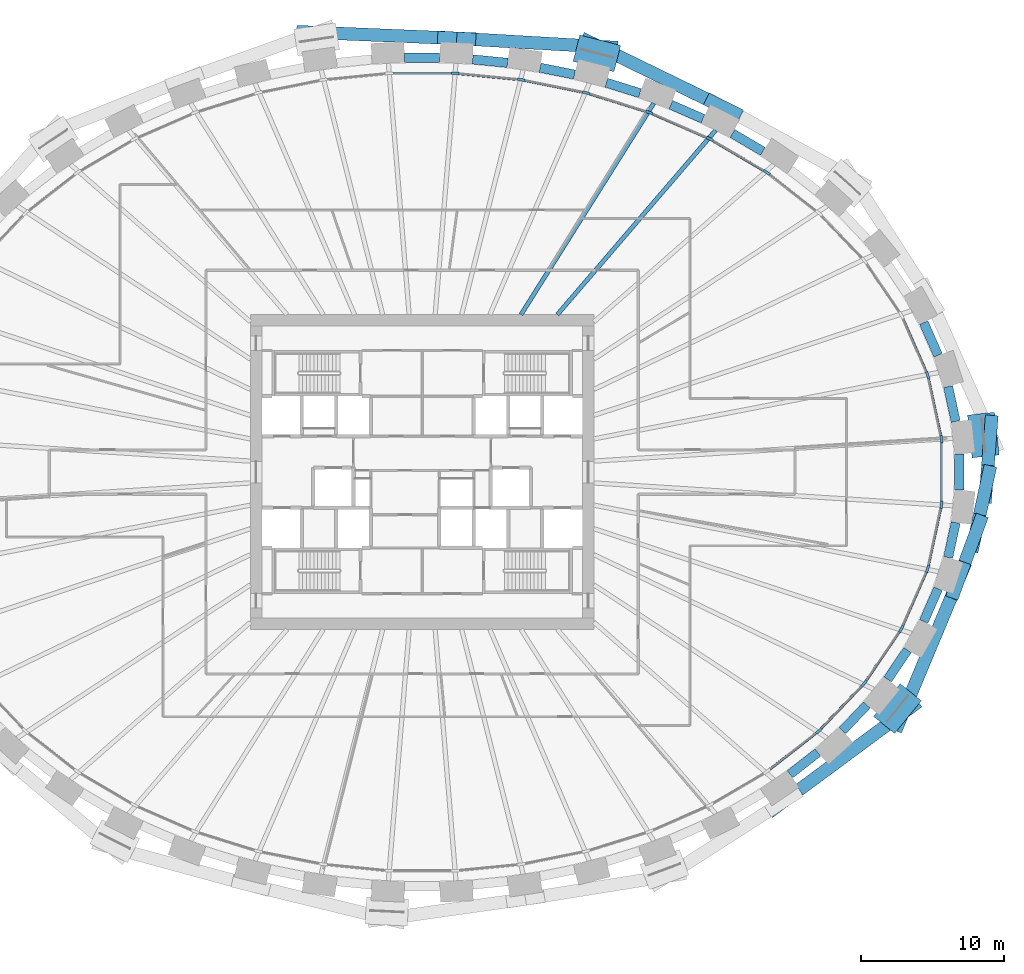
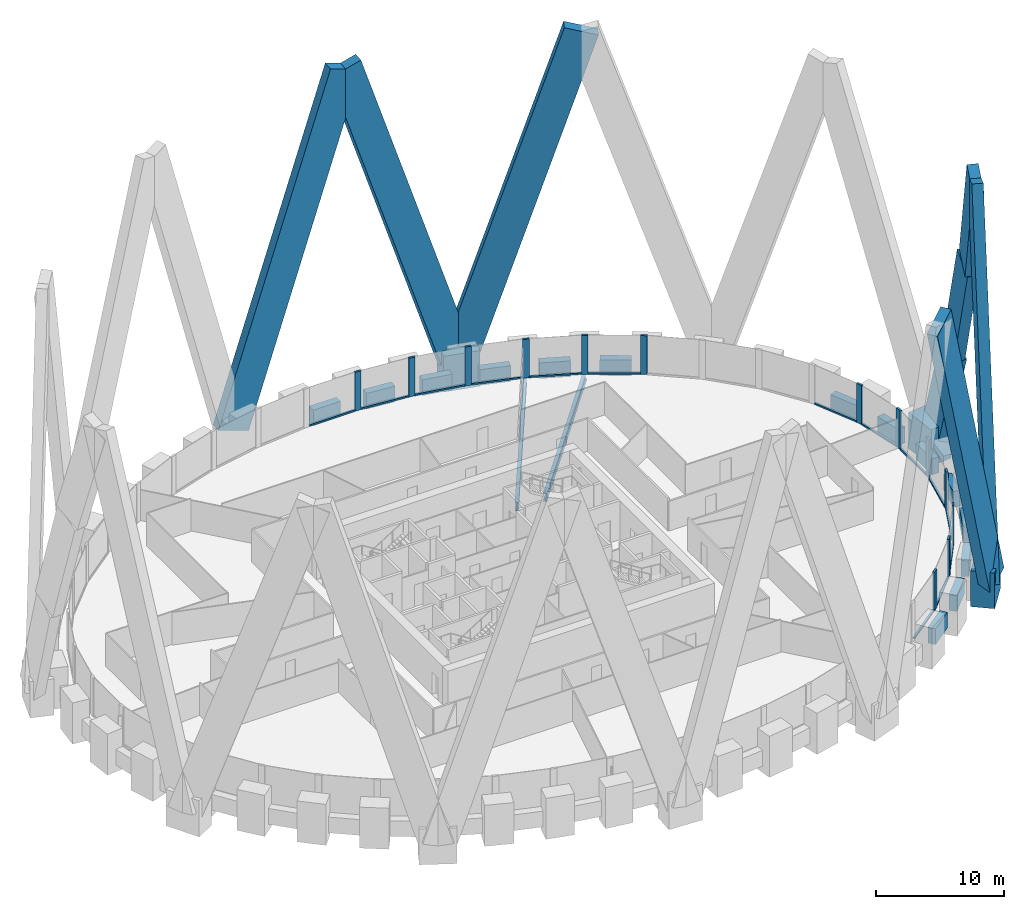
# One storey, part 4 of 12: 38 members, 16 beams, 1 element without a shape of its own.
"""IFC4 building model written with IfcOpenShell, lengths in metres."""

from ifc_helpers import new_model, si_unit, direction, frame, origin, origin_2d, place, context, subcontext, project, spatial, rectangle, i_section, extrude, source, transform, mapped, material, material_profile, profile_set, type_object, element, aggregate, save


model = new_model("IFC4")

# Units and contexts
model_context = context("Model", 3, precision=1e-05, world=origin(), true_north=direction((0.0, 1.0)))
body_context = subcontext(model_context, "Body", "Model", "MODEL_VIEW")
ifc_project = project(units=[si_unit("LENGTHUNIT", "METRE"), si_unit("AREAUNIT", "SQUARE_METRE"), si_unit("VOLUMEUNIT", "CUBIC_METRE"), si_unit("PLANEANGLEUNIT", "RADIAN"), si_unit("MASSUNIT", "GRAM", prefix="KILO")], contexts=[model_context])

# Site, building, storey
site_placement = place(None, origin())
site = spatial("IfcSite", under=ifc_project, at=site_placement, CompositionType="ELEMENT")
building_placement = place(site_placement, origin())
building = spatial("IfcBuilding", under=site, at=building_placement, Name="Embergate Tower", CompositionType="ELEMENT")
storey_placement = place(building_placement, frame((0.0, 0.0, 159.89990234375)))
storey = spatial("IfcBuildingStorey", under=building, at=storey_placement, Name="L35", CompositionType="ELEMENT", Elevation=159.89990234375)

# Beams
ifc_material_1 = material(Name="Concrete C70", Category="concrete")
ifc_material_profile_1 = material_profile(ifc_material_1, rectangle(XDim=0.64990234375, YDim=1.5, at=origin_2d()), Name="RC 650x1500")
ifc_profile_set_1 = profile_set([ifc_material_profile_1], Name="Concrete C70")
beam_type_1 = type_object("IfcBeamType", Name="Spandrel beam RC 650x1500 C70", PredefinedType="BEAM", material=ifc_profile_set_1)
shared_shape_1 = source(origin(), body_context, "Body", "SweptSolid", [
    extrude(rectangle(XDim=0.64990234375, YDim=1.5, at=origin_2d()), origin(), (0.0, 0.0, 1.0), 2.490966796875),
])
for number, where, z_axis, x_axis, name in (
    (1, (37.27294921875, 3.532958984375, 0.0), (-0.210720345789, 0.977546385534, 0.0), (-0.977546385534, -0.210720345789, 0.0), "SPN-L35-00"),
    (2, (36.748046875, -5.968017578125, 0.0), (0.210720345789, 0.977546385534, 0.0), (-0.977546385534, 0.210720345789, 0.0), "SPN-L35-42"),
):
    element("IfcBeam", number, at=place(storey_placement, frame(where, z_axis=z_axis, x_axis=x_axis)), inside=storey, type_object=beam_type_1, Name=name, PredefinedType="BEAM", context=body_context, shape_type="MappedRepresentation", body=[
        mapped(shared_shape_1, transform((0.0, 0.0, 0.0))),
    ])
shared_shape_2 = source(origin(), body_context, "Body", "SweptSolid", [
    extrude(rectangle(XDim=0.64990234375, YDim=1.5, at=origin_2d()), origin(), (0.0, 0.0, 1.0), 2.48828125),
])
for number, where, z_axis, x_axis, name in (
    (3, (36.041015625, 8.156005859375, 0.0), (-0.401472379967, 0.91587113074, 0.0), (-0.91587113074, -0.401472379967, 0.0), "SPN-L35-01"),
    (4, (35.0419921875, -10.43505859375, 0.0), (0.401472379967, 0.91587113074, 0.0), (-0.91587113074, 0.401472379967, 0.0), "SPN-L35-41"),
):
    element("IfcBeam", number, at=place(storey_placement, frame(where, z_axis=z_axis, x_axis=x_axis)), inside=storey, type_object=beam_type_1, Name=name, PredefinedType="BEAM", context=body_context, shape_type="MappedRepresentation", body=[
        mapped(shared_shape_2, transform((0.0, 0.0, 0.0))),
    ])
shared_shape_3 = source(origin(), body_context, "Body", "SweptSolid", [
    extrude(rectangle(XDim=0.64990234375, YDim=1.5, at=origin_2d()), origin(), (0.0, 0.0, 1.0), 2.4775390625),
])
beam_1_placement = place(storey_placement, frame((32.51806640625, -14.486083984375, 0.0), z_axis=(0.562159078618, 0.827029123022, 0.0), x_axis=(-0.827029123022, 0.562159078618, 0.0)))
element("IfcBeam", 5, at=beam_1_placement, inside=storey, type_object=beam_type_1, Name="SPN-L35-40", PredefinedType="BEAM", context=body_context, shape_type="MappedRepresentation", body=[
    mapped(shared_shape_3, transform((0.0, 0.0, 0.0))),
])
shared_shape_4 = source(origin(), body_context, "Body", "SweptSolid", [
    extrude(rectangle(XDim=0.64990234375, YDim=1.5, at=origin_2d()), origin(), (0.0, 0.0, 1.0), 2.473388671875),
])
beam_2_placement = place(storey_placement, frame((29.364990234375, -18.06494140625, 0.0), z_axis=(0.69012823406, 0.723687101276, 0.0), x_axis=(-0.723687101276, 0.69012823406, 0.0)))
element("IfcBeam", 6, at=beam_2_placement, inside=storey, type_object=beam_type_1, Name="SPN-L35-39", PredefinedType="BEAM", context=body_context, shape_type="MappedRepresentation", body=[
    mapped(shared_shape_4, transform((0.0, 0.0, 0.0))),
])
shared_shape_5 = source(origin(), body_context, "Body", "SweptSolid", [
    extrude(rectangle(XDim=0.64990234375, YDim=1.5, at=origin_2d()), origin(), (0.0, 0.0, 1.0), 2.466552734375),
])
beam_3_placement = place(storey_placement, frame((25.702880859375, -21.112060546875, 0.0), z_axis=(0.788172909908, 0.615453868367, 0.0), x_axis=(-0.615453868367, 0.788172909908, 0.0)))
element("IfcBeam", 7, at=beam_3_placement, inside=storey, type_object=beam_type_1, Name="SPN-L35-38", PredefinedType="BEAM", context=body_context, shape_type="MappedRepresentation", body=[
    mapped(shared_shape_5, transform((0.0, 0.0, 0.0))),
])
shared_shape_6 = source(origin(), body_context, "Body", "SweptSolid", [
    extrude(rectangle(XDim=0.64990234375, YDim=1.5, at=origin_2d()), origin(), (0.0, 0.0, 1.0), 2.46142578125),
])
beam_4_placement = place(storey_placement, frame((23.801025390625, 22.405029296875, 0.0), z_axis=(-0.86214832468, 0.506655964389, 0.0), x_axis=(-0.506655964389, -0.86214832468, 0.0)))
element("IfcBeam", 8, at=beam_4_placement, inside=storey, type_object=beam_type_1, Name="SPN-L35-05", PredefinedType="BEAM", context=body_context, shape_type="MappedRepresentation", body=[
    mapped(shared_shape_6, transform((0.0, 0.0, 0.0))),
])
shared_shape_7 = source(origin(), body_context, "Body", "SweptSolid", [
    extrude(rectangle(XDim=0.64990234375, YDim=1.5, at=origin_2d()), origin(), (0.0, 0.0, 1.0), 2.456787109375),
])
beam_5_placement = place(storey_placement, frame((19.62109375, 24.679931640625, 0.0), z_axis=(-0.916257660854, 0.40058943936, 0.0), x_axis=(-0.40058943936, -0.916257660854, 0.0)))
element("IfcBeam", 9, at=beam_5_placement, inside=storey, type_object=beam_type_1, Name="SPN-L35-06", PredefinedType="BEAM", context=body_context, shape_type="MappedRepresentation", body=[
    mapped(shared_shape_7, transform((0.0, 0.0, 0.0))),
])
shared_shape_8 = source(origin(), body_context, "Body", "SweptSolid", [
    extrude(rectangle(XDim=0.64990234375, YDim=1.5, at=origin_2d()), origin(), (0.0, 0.0, 1.0), 2.4541015625),
])
beam_6_placement = place(storey_placement, frame((15.215087890625, 26.468017578125, 0.0), z_axis=(-0.954736297307, 0.29745353016, 0.0), x_axis=(-0.29745353016, -0.954736297307, 0.0)))
element("IfcBeam", 10, at=beam_6_placement, inside=storey, type_object=beam_type_1, Name="SPN-L35-07", PredefinedType="BEAM", context=body_context, shape_type="MappedRepresentation", body=[
    mapped(shared_shape_8, transform((0.0, 0.0, 0.0))),
])
shared_shape_9 = source(origin(), body_context, "Body", "SweptSolid", [
    extrude(rectangle(XDim=0.64990234375, YDim=1.5, at=origin_2d()), origin(), (0.0, 0.0, 1.0), 2.453125),
])
beam_7_placement = place(storey_placement, frame((10.64306640625, 27.76611328125, 0.0), z_axis=(-0.980431102511, 0.196862523679, 0.0), x_axis=(-0.196862523679, -0.980431102511, 0.0)))
element("IfcBeam", 11, at=beam_7_placement, inside=storey, type_object=beam_type_1, Name="SPN-L35-08", PredefinedType="BEAM", context=body_context, shape_type="MappedRepresentation", body=[
    mapped(shared_shape_9, transform((0.0, 0.0, 0.0))),
])
shared_shape_10 = source(origin(), body_context, "Body", "SweptSolid", [
    extrude(rectangle(XDim=0.64990234375, YDim=1.5, at=origin_2d()), origin(), (0.0, 0.0, 1.0), 2.45166015625),
])
beam_8_placement = place(storey_placement, frame((5.962890625, 28.587890625, 0.0), z_axis=(-0.995197569904, 0.097886653113, 0.0), x_axis=(-0.097886653113, -0.995197569904, 0.0)))
element("IfcBeam", 12, at=beam_8_placement, inside=storey, type_object=beam_type_1, Name="SPN-L35-09", PredefinedType="BEAM", context=body_context, shape_type="MappedRepresentation", body=[
    mapped(shared_shape_10, transform((0.0, 0.0, 0.0))),
])
shared_shape_11 = source(origin(), body_context, "Body", "SweptSolid", [
    extrude(rectangle(XDim=0.64990234375, YDim=1.5, at=origin_2d()), origin(), (0.0, 0.0, 1.0), 2.4521484375),
])
beam_9_placement = place(storey_placement, frame((1.22607421875, 28.94091796875, 0.0), z_axis=(-1.0, 0.0, 0.0), x_axis=(0.0, -1.0, 0.0)))
element("IfcBeam", 13, at=beam_9_placement, inside=storey, type_object=beam_type_1, Name="SPN-L35-10", PredefinedType="BEAM", context=body_context, shape_type="MappedRepresentation", body=[
    mapped(shared_shape_11, transform((0.0, 0.0, 0.0))),
])
shared_shape_12 = source(origin(), body_context, "Body", "SweptSolid", [
    extrude(rectangle(XDim=0.64990234375, YDim=1.5, at=origin_2d()), origin(), (0.0, 0.0, 1.0), 2.4921875),
])
beam_10_placement = place(storey_placement, frame((37.51611328125, -1.24609375, 0.0), z_axis=(0.0, 1.0, 0.0), x_axis=(-1.0, 0.0, 0.0)))
element("IfcBeam", 14, at=beam_10_placement, inside=storey, type_object=beam_type_1, Name="SPN-L35-43", PredefinedType="BEAM", context=body_context, shape_type="MappedRepresentation", body=[
    mapped(shared_shape_12, transform((0.0, 0.0, 0.0))),
])
ifc_material_2 = material(Name="Steel Q355B", Category="steel")
ifc_material_profile_2 = material_profile(ifc_material_2, i_section(OverallWidth=0.300048828125, OverallDepth=0.800048828125, WebThickness=0.013916015625, FlangeThickness=0.02587890625, FilletRadius=0.028076171875, at=origin_2d()), Name="HN 800x300x14x26")
ifc_profile_set_2 = profile_set([ifc_material_profile_2], Name="Steel Q355 grade B")
beam_type_2 = type_object("IfcBeamType", Name="Radial girder HN 800x300x14x26", PredefinedType="BEAM", material=ifc_profile_set_2)
shared_shape_13 = source(origin(), body_context, "Body", "SweptSolid", [
    extrude(i_section(OverallWidth=0.300048828125, OverallDepth=0.800048828125, WebThickness=0.013916015625, FlangeThickness=0.02587890625, FilletRadius=0.028076171875, at=origin_2d()), origin(), (0.0, 0.0, 1.0), 16.970458984375),
])
beam_11_placement = place(storey_placement, frame((20.501953125, 23.875, -0.599853515625), z_axis=(-0.651477073616, -0.758668321833, 0.0), x_axis=(0.758668321833, -0.651477073616, 0.0)))
element("IfcBeam", 15, at=beam_11_placement, inside=storey, type_object=beam_type_2, Name="GIR-L35-06", PredefinedType="BEAM", context=body_context, shape_type="MappedRepresentation", body=[
    mapped(shared_shape_13, transform((0.0, 0.0, 0.0))),
])
shared_shape_14 = source(origin(), body_context, "Body", "SweptSolid", [
    extrude(i_section(OverallWidth=0.300048828125, OverallDepth=0.800048828125, WebThickness=0.013916015625, FlangeThickness=0.02587890625, FilletRadius=0.028076171875, at=origin_2d()), origin(), (0.0, 0.0, 1.0), 17.433837890625),
])
beam_12_placement = place(storey_placement, frame((16.179931640625, 25.763916015625, -0.599853515625), z_axis=(-0.531834233156, -0.846848480216, 0.0), x_axis=(0.846848480216, -0.531834233156, 0.0)))
element("IfcBeam", 16, at=beam_12_placement, inside=storey, type_object=beam_type_2, Name="GIR-L35-07", PredefinedType="BEAM", context=body_context, shape_type="MappedRepresentation", body=[
    mapped(shared_shape_14, transform((0.0, 0.0, 0.0))),
])

# Members
ifc_material_profile_3 = material_profile(ifc_material_1, rectangle(XDim=1.89990234375, YDim=3.0, at=origin_2d()), Name="RC 1900x3000")
ifc_profile_set_3 = profile_set([ifc_material_profile_3], Name="Concrete C70")
member_type_1 = type_object("IfcMemberType", Name="Lattice node block RC 1900x3000", PredefinedType="POST", material=ifc_profile_set_3)
shared_shape_15 = source(origin(), body_context, "Body", "SweptSolid", [
    extrude(rectangle(XDim=1.89990234375, YDim=3.0, at=origin_2d()), origin(), (0.0, 0.0, 1.0), 3.449951171875),
])
member_1_placement = place(storey_placement, frame((39.208984375, 2.583984375, -1.724853515625), z_axis=(0.0, 0.0, 1.0), x_axis=(0.99428589498, 0.106749983816, 0.0)))
element("IfcMember", 17, at=member_1_placement, inside=storey, type_object=member_type_1, Name="NOD-L35-00", PredefinedType="POST", context=body_context, shape_type="MappedRepresentation", body=[
    mapped(shared_shape_15, transform((0.0, 0.0, 0.0))),
])
ifc_material_profile_4 = material_profile(ifc_material_1, rectangle(XDim=1.89990234375, YDim=2.949951171875, at=origin_2d()), Name="RC 1900x2950")
ifc_profile_set_4 = profile_set([ifc_material_profile_4], Name="Concrete C70")
member_type_2 = type_object("IfcMemberType", Name="Lattice node block RC 1900x2950", PredefinedType="POST", material=ifc_profile_set_4)
shared_shape_16 = source(origin(), body_context, "Body", "SweptSolid", [
    extrude(rectangle(XDim=1.89990234375, YDim=2.949951171875, at=origin_2d()), origin(), (0.0, 0.0, 1.0), 3.400146484375),
])
for number, where, z_axis, x_axis, name in (
    (18, (12.20703125, 29.25, -1.699951171875), (0.0, 0.0, 1.0), (0.246491603437, 0.969144926951, 0.0), "NOD-L35-08"),
    (19, (33.2060546875, -16.528076171875, -1.699951171875), (0.0, 0.0, 1.0), (0.775914301615, -0.630838328377, 0.0), "NOD-L35-40"),
):
    element("IfcMember", number, at=place(storey_placement, frame(where, z_axis=z_axis, x_axis=x_axis)), inside=storey, type_object=member_type_2, Name=name, PredefinedType="POST", context=body_context, shape_type="MappedRepresentation", body=[
        mapped(shared_shape_16, transform((0.0, 0.0, 0.0))),
    ])
ifc_material_profile_5 = material_profile(ifc_material_1, rectangle(XDim=0.89990234375, YDim=2.800048828125, at=origin_2d()), Name="RC 900x2800")
ifc_profile_set_5 = profile_set([ifc_material_profile_5], Name="Concrete C70")
member_type_3 = type_object("IfcMemberType", Name="Lattice diagonal terracotta-faced RC 900x2800", PredefinedType="BRACE", material=ifc_profile_set_5)
shared_shape_17 = source(origin(), body_context, "Body", "SweptSolid", [
    extrude(rectangle(XDim=0.89990234375, YDim=2.800048828125, at=origin_2d()), origin(), (0.0, 0.0, 1.0), 10.974609375),
])
member_2_placement = place(storey_placement, frame((39.698974609375, 2.636962890625, 0.0), z_axis=(-0.025227104073, -0.318275289211, 0.94766261586), x_axis=(0.996873499493, -0.0790140874, 0.0)))
element("IfcMember", 20, at=member_2_placement, inside=storey, type_object=member_type_3, Name="BRC-L35-00-42-S00", PredefinedType="BRACE", context=body_context, shape_type="MappedRepresentation", body=[
    mapped(shared_shape_17, transform((0.0, 0.0, 0.0))),
])
shared_shape_18 = source(origin(), body_context, "Body", "SweptSolid", [
    extrude(rectangle(XDim=0.89990234375, YDim=2.800048828125, at=origin_2d()), origin(), (0.0, 0.0, 1.0), 10.9716796875),
])
member_3_placement = place(storey_placement, frame((39.422119140625, -0.85595703125, 10.400146484375), z_axis=(-0.068090555962, -0.311258397645, 0.947882844071), x_axis=(0.976898194926, -0.213705209928, 0.0)))
element("IfcMember", 21, at=member_3_placement, inside=storey, type_object=member_type_3, Name="BRC-L35-00-42-S01", PredefinedType="BRACE", context=body_context, shape_type="MappedRepresentation", body=[
    mapped(shared_shape_18, transform((0.0, 0.0, 0.0))),
])
shared_shape_19 = source(origin(), body_context, "Body", "SweptSolid", [
    extrude(rectangle(XDim=0.89990234375, YDim=2.800048828125, at=origin_2d()), origin(), (0.0, 0.0, 1.0), 10.975341796875),
])
member_4_placement = place(storey_placement, frame((38.675048828125, -4.27099609375, 20.800048828125), z_axis=(-0.110798923194, -0.299675385118, 0.947585490694), x_axis=(0.937944291854, -0.346785964795, 0.0)))
element("IfcMember", 22, at=member_4_placement, inside=storey, type_object=member_type_3, Name="BRC-L35-00-42-S02", PredefinedType="BRACE", context=body_context, shape_type="MappedRepresentation", body=[
    mapped(shared_shape_19, transform((0.0, 0.0, 0.0))),
])
shared_shape_20 = source(origin(), body_context, "Body", "SweptSolid", [
    extrude(rectangle(XDim=0.89990234375, YDim=2.800048828125, at=origin_2d()), origin(), (0.0, 0.0, 1.0), 32.674560546875),
])
member_5_placement = place(storey_placement, frame((12.3291015625, 29.72802734375, 0.0), z_axis=(0.267052339284, -0.129980764226, 0.954875933833), x_axis=(0.437638350374, 0.899151085348, 0.0)))
element("IfcMember", 23, at=member_5_placement, inside=storey, type_object=member_type_3, Name="BRC-L35-08-06-S00", PredefinedType="BRACE", context=body_context, shape_type="MappedRepresentation", body=[
    mapped(shared_shape_20, transform((0.0, 0.0, 0.0))),
])
shared_shape_21 = source(origin(), body_context, "Body", "SweptSolid", [
    extrude(rectangle(XDim=0.89990234375, YDim=2.800048828125, at=origin_2d()), origin(), (0.0, 0.0, 1.0), 32.742919921875),
])
member_6_placement = place(storey_placement, frame((12.3291015625, 29.72802734375, 0.0), z_axis=(-0.302843764907, 0.01741038485, 0.952881174416), x_axis=(-0.057394890682, -0.998351554576, 0.0)))
element("IfcMember", 24, at=member_6_placement, inside=storey, type_object=member_type_3, Name="BRC-L35-08-10-S00", PredefinedType="BRACE", context=body_context, shape_type="MappedRepresentation", body=[
    mapped(shared_shape_21, transform((0.0, 0.0, 0.0))),
])
shared_shape_22 = source(origin(), body_context, "Body", "SweptSolid", [
    extrude(rectangle(XDim=0.89990234375, YDim=2.800048828125, at=origin_2d()), origin(), (0.0, 0.0, 1.0), 32.721923828125),
])
member_7_placement = place(storey_placement, frame((-7.44091796875, 30.7080078125, 0.0), z_axis=(0.301144160679, -0.012527155388, 0.953496337102), x_axis=(0.041562588077, 0.999135902304, 0.0)))
element("IfcMember", 25, at=member_7_placement, inside=storey, type_object=member_type_3, Name="BRC-L35-12-10-S00", PredefinedType="BRACE", context=body_context, shape_type="MappedRepresentation", body=[
    mapped(shared_shape_22, transform((0.0, 0.0, 0.0))),
])
shared_shape_23 = source(origin(), body_context, "Body", "SweptSolid", [
    extrude(rectangle(XDim=0.89990234375, YDim=2.800048828125, at=origin_2d()), origin(), (0.0, 0.0, 1.0), 32.87060546875),
])
member_8_placement = place(storey_placement, frame((33.587890625, -16.839111328125, 0.0), z_axis=(-0.252870952016, -0.187369309361, 0.949183345585), x_axis=(0.595345500088, -0.803469809965, 0.0)))
element("IfcMember", 26, at=member_8_placement, inside=storey, type_object=member_type_3, Name="BRC-L35-40-38-S00", PredefinedType="BRACE", context=body_context, shape_type="MappedRepresentation", body=[
    mapped(shared_shape_23, transform((0.0, 0.0, 0.0))),
])
shared_shape_24 = source(origin(), body_context, "Body", "SweptSolid", [
    extrude(rectangle(XDim=0.89990234375, YDim=2.800048828125, at=origin_2d()), origin(), (0.0, 0.0, 1.0), 32.7802734375),
])
member_9_placement = place(storey_placement, frame((33.587890625, -16.839111328125, 0.0), z_axis=(0.118092610859, 0.283069239462, 0.951801418853), x_axis=(-0.922906567467, 0.385023983313, 0.0)))
element("IfcMember", 27, at=member_9_placement, inside=storey, type_object=member_type_3, Name="BRC-L35-40-42-S00", PredefinedType="BRACE", context=body_context, shape_type="MappedRepresentation", body=[
    mapped(shared_shape_24, transform((0.0, 0.0, 0.0))),
])

# Curtain wall, members
ifc_material_3 = material(Name="Aluminium and glass", Category="aluminium")
curtain_wall_type = type_object("IfcCurtainWallType", Name="Recessed office glazing", PredefinedType="NOTDEFINED", material=ifc_material_3)
curtain_wall_placement = place(storey_placement, origin())
curtain_wall = element("IfcCurtainWall", 28, at=curtain_wall_placement, inside=storey, type_object=curtain_wall_type, Name="Recessed office glazing ring", ObjectType="RECESSED OFFICE GLAZING", PredefinedType="USERDEFINED")
ifc_material_4 = material(Name="Aluminium, thermally broken", Category="aluminium")
ifc_material_profile_6 = material_profile(ifc_material_4, rectangle(XDim=0.179931640625, YDim=0.52001953125, at=origin_2d()), Name="AL 520x180")
ifc_profile_set_6 = profile_set([ifc_material_profile_6], Name="Aluminium, thermally broken")
member_type_4 = type_object("IfcMemberType", Name="Office mullion", PredefinedType="MULLION", material=ifc_profile_set_6)
shared_shape_25 = source(origin(), body_context, "Body", "SweptSolid", [
    extrude(rectangle(XDim=0.179931640625, YDim=0.52001953125, at=origin_2d()), origin(), (0.0, 0.0, 1.0), 3.7001953125),
])
member_10_placement = place(storey_placement, frame((36.281494140625, 2.287841796875, 0.0), z_axis=(0.0, 0.0, 1.0), x_axis=(-0.994384954736, -0.105823257345, 0.0)))
member_10 = element("IfcMember", 29, at=member_10_placement, type_object=member_type_4, Name="CW mullion 1", PredefinedType="MULLION", context=body_context, shape_type="MappedRepresentation", body=[
    mapped(shared_shape_25, transform((0.0, 0.0, 0.0))),
])
member_11_placement = place(storey_placement, frame((35.318115234375, 6.763427734375, 0.0), z_axis=(0.0, 0.0, 1.0), x_axis=(-0.951497797992, -0.307655554826, 0.0)))
member_11 = element("IfcMember", 30, at=member_11_placement, type_object=member_type_4, Name="CW mullion 2", PredefinedType="MULLION", context=body_context, shape_type="MappedRepresentation", body=[
    mapped(shared_shape_25, transform((0.0, 0.0, 0.0))),
])
member_12_placement = place(storey_placement, frame((24.08251953125, 20.9287109375, 0.0), z_axis=(0.0, 0.0, 1.0), x_axis=(-0.562216175174, -0.826990309721, 0.0)))
member_12 = element("IfcMember", 31, at=member_12_placement, type_object=member_type_4, Name="CW mullion 6", PredefinedType="MULLION", context=body_context, shape_type="MappedRepresentation", body=[
    mapped(shared_shape_25, transform((0.0, 0.0, 0.0))),
])
member_13_placement = place(storey_placement, frame((20.103271484375, 23.26806640625, 0.0), z_axis=(0.0, 0.0, 1.0), x_axis=(-0.454509825889, -0.890741723605, 0.0)))
member_13 = element("IfcMember", 32, at=member_13_placement, type_object=member_type_4, Name="CW mullion 7", PredefinedType="MULLION", context=body_context, shape_type="MappedRepresentation", body=[
    mapped(shared_shape_25, transform((0.0, 0.0, 0.0))),
])
member_14_placement = place(storey_placement, frame((15.86962890625, 25.119384765625, 0.0), z_axis=(0.0, 0.0, 1.0), x_axis=(-0.349502682851, -0.936935363128, 0.0)))
member_14 = element("IfcMember", 33, at=member_14_placement, type_object=member_type_4, Name="CW mullion 8", PredefinedType="MULLION", context=body_context, shape_type="MappedRepresentation", body=[
    mapped(shared_shape_25, transform((0.0, 0.0, 0.0))),
])
member_15_placement = place(storey_placement, frame((11.454833984375, 26.494140625, 0.0), z_axis=(0.0, 0.0, 1.0), x_axis=(-0.24731188137, -0.968935928394, 0.0)))
member_15 = element("IfcMember", 34, at=member_15_placement, type_object=member_type_4, Name="CW mullion 9", PredefinedType="MULLION", context=body_context, shape_type="MappedRepresentation", body=[
    mapped(shared_shape_25, transform((0.0, 0.0, 0.0))),
])
member_16_placement = place(storey_placement, frame((6.919189453125, 27.40380859375, 0.0), z_axis=(0.0, 0.0, 1.0), x_axis=(-0.147412382818, -0.989075118174, 0.0)))
member_16 = element("IfcMember", 35, at=member_16_placement, type_object=member_type_4, Name="CW mullion 10", PredefinedType="MULLION", context=body_context, shape_type="MappedRepresentation", body=[
    mapped(shared_shape_25, transform((0.0, 0.0, 0.0))),
])
member_17_placement = place(storey_placement, frame((2.31396484375, 27.8564453125, 0.0), z_axis=(0.0, 0.0, 1.0), x_axis=(-0.048971796621, -0.998800161762, 0.0)))
member_17 = element("IfcMember", 36, at=member_17_placement, type_object=member_type_4, Name="CW mullion 11", PredefinedType="MULLION", context=body_context, shape_type="MappedRepresentation", body=[
    mapped(shared_shape_25, transform((0.0, 0.0, 0.0))),
])
member_18_placement = place(storey_placement, frame((27.716796875, -18.092041015625, 0.0), z_axis=(0.0, 0.0, 1.0), x_axis=(-0.671226533956, 0.741252278319, 0.0)))
member_18 = element("IfcMember", 37, at=member_18_placement, type_object=member_type_4, Name="CW mullion 40", PredefinedType="MULLION", context=body_context, shape_type="MappedRepresentation", body=[
    mapped(shared_shape_25, transform((0.0, 0.0, 0.0))),
])
member_19_placement = place(storey_placement, frame((30.89306640625, -14.76123046875, 0.0), z_axis=(0.0, 0.0, 1.0), x_axis=(-0.777872564355, 0.628422050555, 0.0)))
member_19 = element("IfcMember", 38, at=member_19_placement, type_object=member_type_4, Name="CW mullion 41", PredefinedType="MULLION", context=body_context, shape_type="MappedRepresentation", body=[
    mapped(shared_shape_25, transform((0.0, 0.0, 0.0))),
])
member_20_placement = place(storey_placement, frame((33.4765625, -10.96240234375, 0.0), z_axis=(0.0, 0.0, 1.0), x_axis=(-0.875001895832, 0.484119491748, 0.0)))
member_20 = element("IfcMember", 39, at=member_20_placement, type_object=member_type_4, Name="CW mullion 42", PredefinedType="MULLION", context=body_context, shape_type="MappedRepresentation", body=[
    mapped(shared_shape_25, transform((0.0, 0.0, 0.0))),
])
member_21_placement = place(storey_placement, frame((35.318115234375, -6.763427734375, 0.0), z_axis=(0.0, 0.0, 1.0), x_axis=(-0.951497797992, 0.307655554826, 0.0)))
member_21 = element("IfcMember", 40, at=member_21_placement, type_object=member_type_4, Name="CW mullion 43", PredefinedType="MULLION", context=body_context, shape_type="MappedRepresentation", body=[
    mapped(shared_shape_25, transform((0.0, 0.0, 0.0))),
])
member_22_placement = place(storey_placement, frame((36.281494140625, -2.287841796875, 0.0), z_axis=(0.0, 0.0, 1.0), x_axis=(-0.994384954736, 0.105823257345, 0.0)))
member_22 = element("IfcMember", 41, at=member_22_placement, type_object=member_type_4, Name="CW mullion 44", PredefinedType="MULLION", context=body_context, shape_type="MappedRepresentation", body=[
    mapped(shared_shape_25, transform((0.0, 0.0, 0.0))),
])
ifc_material_profile_7 = material_profile(ifc_material_4, rectangle(XDim=0.179931640625, YDim=0.14990234375, at=origin_2d()), Name="AL 150x180")
ifc_profile_set_7 = profile_set([ifc_material_profile_7], Name="Aluminium, thermally broken")
member_type_5 = type_object("IfcMemberType", Name="Office sill transom", PredefinedType="USERDEFINED", material=ifc_profile_set_7)
shared_shape_26 = source(origin(), body_context, "Body", "SweptSolid", [
    extrude(rectangle(XDim=0.179931640625, YDim=0.14990234375, at=origin_2d()), origin(), (0.0, 0.0, 1.0), 4.05810546875),
])
member_23_placement = place(storey_placement, frame((36.226806640625, 2.5419921875, 0.0751953125), z_axis=(-0.210441087969, 0.977606540738, 0.0), x_axis=(-0.977606540738, -0.210441087969, 0.0)))
member_23 = element("IfcMember", 42, at=member_23_placement, type_object=member_type_5, Name="CW transom 1.1", ObjectType="TRANSOM", PredefinedType="USERDEFINED", context=body_context, shape_type="MappedRepresentation", body=[
    mapped(shared_shape_26, transform((0.0, 0.0, 0.0))),
])
member_24_placement = place(storey_placement, frame((35.372802734375, -6.50927734375, 0.0751953125), z_axis=(0.210441087969, 0.977606540738, 0.0), x_axis=(-0.977606540738, 0.210441087969, 0.0)))
member_24 = element("IfcMember", 43, at=member_24_placement, type_object=member_type_5, Name="CW transom 43.1", ObjectType="TRANSOM", PredefinedType="USERDEFINED", context=body_context, shape_type="MappedRepresentation", body=[
    mapped(shared_shape_26, transform((0.0, 0.0, 0.0))),
])
shared_shape_27 = source(origin(), body_context, "Body", "SweptSolid", [
    extrude(rectangle(XDim=0.179931640625, YDim=0.14990234375, at=origin_2d()), origin(), (0.0, 0.0, 1.0), 4.06494140625),
])
member_25_placement = place(storey_placement, frame((35.213623046875, 7.001708984375, 0.0751953125), z_axis=(-0.401675633899, 0.91578200743, 0.0), x_axis=(-0.91578200743, -0.401675633899, 0.0)))
member_25 = element("IfcMember", 44, at=member_25_placement, type_object=member_type_5, Name="CW transom 2.1", ObjectType="TRANSOM", PredefinedType="USERDEFINED", context=body_context, shape_type="MappedRepresentation", body=[
    mapped(shared_shape_27, transform((0.0, 0.0, 0.0))),
])
member_26_placement = place(storey_placement, frame((33.580810546875, -10.724365234375, 0.0751953125), z_axis=(0.401675633899, 0.91578200743, 0.0), x_axis=(-0.91578200743, 0.401675633899, 0.0)))
member_26 = element("IfcMember", 45, at=member_26_placement, type_object=member_type_5, Name="CW transom 42.1", ObjectType="TRANSOM", PredefinedType="USERDEFINED", context=body_context, shape_type="MappedRepresentation", body=[
    mapped(shared_shape_27, transform((0.0, 0.0, 0.0))),
])
shared_shape_28 = source(origin(), body_context, "Body", "SweptSolid", [
    extrude(rectangle(XDim=0.179931640625, YDim=0.14990234375, at=origin_2d()), origin(), (0.0, 0.0, 1.0), 4.073974609375),
])
member_27_placement = place(storey_placement, frame((31.039306640625, -14.54638671875, 0.0751953125), z_axis=(0.562337885641, 0.826907553704, 0.0), x_axis=(-0.826907553704, 0.562337885641, 0.0)))
member_27 = element("IfcMember", 46, at=member_27_placement, type_object=member_type_5, Name="CW transom 41.1", ObjectType="TRANSOM", PredefinedType="USERDEFINED", context=body_context, shape_type="MappedRepresentation", body=[
    mapped(shared_shape_28, transform((0.0, 0.0, 0.0))),
])
shared_shape_29 = source(origin(), body_context, "Body", "SweptSolid", [
    extrude(rectangle(XDim=0.179931640625, YDim=0.14990234375, at=origin_2d()), origin(), (0.0, 0.0, 1.0), 4.082763671875),
])
member_28_placement = place(storey_placement, frame((27.89599609375, -17.904052734375, 0.0751953125), z_axis=(0.690134333582, 0.723681284552, 0.0), x_axis=(-0.723681284552, 0.690134333582, 0.0)))
member_28 = element("IfcMember", 47, at=member_28_placement, type_object=member_type_5, Name="CW transom 40.1", ObjectType="TRANSOM", PredefinedType="USERDEFINED", context=body_context, shape_type="MappedRepresentation", body=[
    mapped(shared_shape_29, transform((0.0, 0.0, 0.0))),
])
shared_shape_30 = source(origin(), body_context, "Body", "SweptSolid", [
    extrude(rectangle(XDim=0.179931640625, YDim=0.14990234375, at=origin_2d()), origin(), (0.0, 0.0, 1.0), 4.090087890625),
])
member_29_placement = place(storey_placement, frame((24.287353515625, -20.7685546875, 0.0751953125), z_axis=(0.788341910095, 0.615237379219, 0.0), x_axis=(-0.615237379219, 0.788341910095, 0.0)))
member_29 = element("IfcMember", 48, at=member_29_placement, type_object=member_type_5, Name="CW transom 39.1", ObjectType="TRANSOM", PredefinedType="USERDEFINED", context=body_context, shape_type="MappedRepresentation", body=[
    mapped(shared_shape_30, transform((0.0, 0.0, 0.0))),
])
shared_shape_31 = source(origin(), body_context, "Body", "SweptSolid", [
    extrude(rectangle(XDim=0.179931640625, YDim=0.14990234375, at=origin_2d()), origin(), (0.0, 0.0, 1.0), 4.095947265625),
])
member_30_placement = place(storey_placement, frame((23.8583984375, 21.060302734375, 0.0751953125), z_axis=(-0.86205523764, 0.506814332134, 0.0), x_axis=(-0.506814332134, -0.86205523764, 0.0)))
member_30 = element("IfcMember", 49, at=member_30_placement, type_object=member_type_5, Name="CW transom 6.1", ObjectType="TRANSOM", PredefinedType="USERDEFINED", context=body_context, shape_type="MappedRepresentation", body=[
    mapped(shared_shape_31, transform((0.0, 0.0, 0.0))),
])
shared_shape_32 = source(origin(), body_context, "Body", "SweptSolid", [
    extrude(rectangle(XDim=0.179931640625, YDim=0.14990234375, at=origin_2d()), origin(), (0.0, 0.0, 1.0), 4.1005859375),
])
member_31_placement = place(storey_placement, frame((19.864990234375, 23.372314453125, 0.0751953125), z_axis=(-0.916237937351, 0.400634549382, 0.0), x_axis=(-0.400634549382, -0.916237937351, 0.0)))
member_31 = element("IfcMember", 50, at=member_31_placement, type_object=member_type_5, Name="CW transom 7.1", ObjectType="TRANSOM", PredefinedType="USERDEFINED", context=body_context, shape_type="MappedRepresentation", body=[
    mapped(shared_shape_32, transform((0.0, 0.0, 0.0))),
])
shared_shape_33 = source(origin(), body_context, "Body", "SweptSolid", [
    extrude(rectangle(XDim=0.179931640625, YDim=0.14990234375, at=origin_2d()), origin(), (0.0, 0.0, 1.0), 4.103759765625),
])
member_32_placement = place(storey_placement, frame((15.621337890625, 25.196533203125, 0.0751953125), z_axis=(-0.954772738111, 0.297336540911, 0.0), x_axis=(-0.297336540911, -0.954772738111, 0.0)))
member_32 = element("IfcMember", 51, at=member_32_placement, type_object=member_type_5, Name="CW transom 8.1", ObjectType="TRANSOM", PredefinedType="USERDEFINED", context=body_context, shape_type="MappedRepresentation", body=[
    mapped(shared_shape_33, transform((0.0, 0.0, 0.0))),
])
shared_shape_34 = source(origin(), body_context, "Body", "SweptSolid", [
    extrude(rectangle(XDim=0.179931640625, YDim=0.14990234375, at=origin_2d()), origin(), (0.0, 0.0, 1.0), 4.10595703125),
])
member_33_placement = place(storey_placement, frame((11.199951171875, 26.54541015625, 0.0751953125), z_axis=(-0.980477631016, 0.196630656505, 0.0), x_axis=(-0.196630656505, -0.980477631016, 0.0)))
member_33 = element("IfcMember", 52, at=member_33_placement, type_object=member_type_5, Name="CW transom 9.1", ObjectType="TRANSOM", PredefinedType="USERDEFINED", context=body_context, shape_type="MappedRepresentation", body=[
    mapped(shared_shape_34, transform((0.0, 0.0, 0.0))),
])
shared_shape_35 = source(origin(), body_context, "Body", "SweptSolid", [
    extrude(rectangle(XDim=0.179931640625, YDim=0.14990234375, at=origin_2d()), origin(), (0.0, 0.0, 1.0), 4.107666015625),
])
member_34_placement = place(storey_placement, frame((6.660400390625, 27.42919921875, 0.0751953125), z_axis=(-0.995202914721, 0.097832297995, 0.0), x_axis=(-0.097832297995, -0.995202914721, 0.0)))
member_34 = element("IfcMember", 53, at=member_34_placement, type_object=member_type_5, Name="CW transom 10.1", ObjectType="TRANSOM", PredefinedType="USERDEFINED", context=body_context, shape_type="MappedRepresentation", body=[
    mapped(shared_shape_35, transform((0.0, 0.0, 0.0))),
])
shared_shape_36 = source(origin(), body_context, "Body", "SweptSolid", [
    extrude(rectangle(XDim=0.179931640625, YDim=0.14990234375, at=origin_2d()), origin(), (0.0, 0.0, 1.0), 4.10791015625),
])
member_35_placement = place(storey_placement, frame((2.053955078125, 27.8564453125, 0.0751953125), z_axis=(-1.0, 0.0, 0.0), x_axis=(0.0, -1.0, 0.0)))
member_35 = element("IfcMember", 54, at=member_35_placement, type_object=member_type_5, Name="CW transom 11.1", ObjectType="TRANSOM", PredefinedType="USERDEFINED", context=body_context, shape_type="MappedRepresentation", body=[
    mapped(shared_shape_36, transform((0.0, 0.0, 0.0))),
])
shared_shape_37 = source(origin(), body_context, "Body", "SweptSolid", [
    extrude(rectangle(XDim=0.179931640625, YDim=0.14990234375, at=origin_2d()), origin(), (0.0, 0.0, 1.0), 4.0556640625),
])
member_36_placement = place(storey_placement, frame((36.281494140625, -2.02783203125, 0.0751953125), z_axis=(0.0, 1.0, 0.0), x_axis=(-1.0, 0.0, 0.0)))
member_36 = element("IfcMember", 55, at=member_36_placement, type_object=member_type_5, Name="CW transom 44.1", ObjectType="TRANSOM", PredefinedType="USERDEFINED", context=body_context, shape_type="MappedRepresentation", body=[
    mapped(shared_shape_37, transform((0.0, 0.0, 0.0))),
])
aggregate(curtain_wall, [member_10, member_11, member_12, member_13, member_14, member_15, member_16, member_17, member_18, member_19, member_20, member_21, member_22, member_23, member_25, member_30, member_31, member_32, member_33, member_34, member_35, member_29, member_28, member_27, member_26, member_24, member_36])

save(model, "model.ifc")
